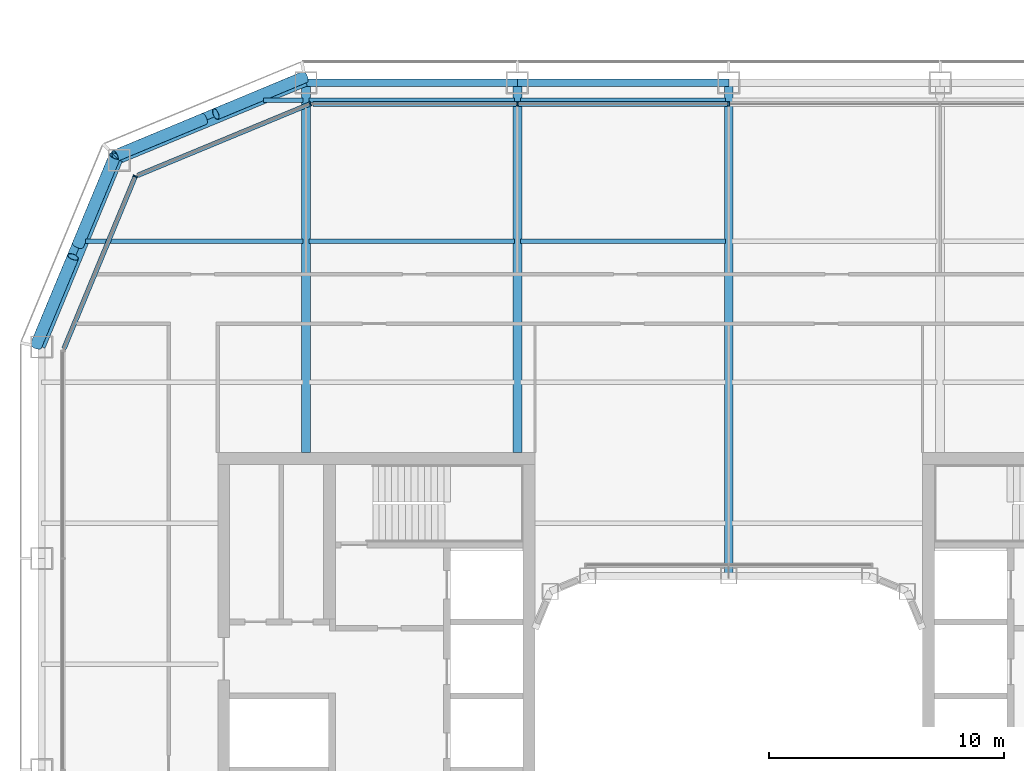
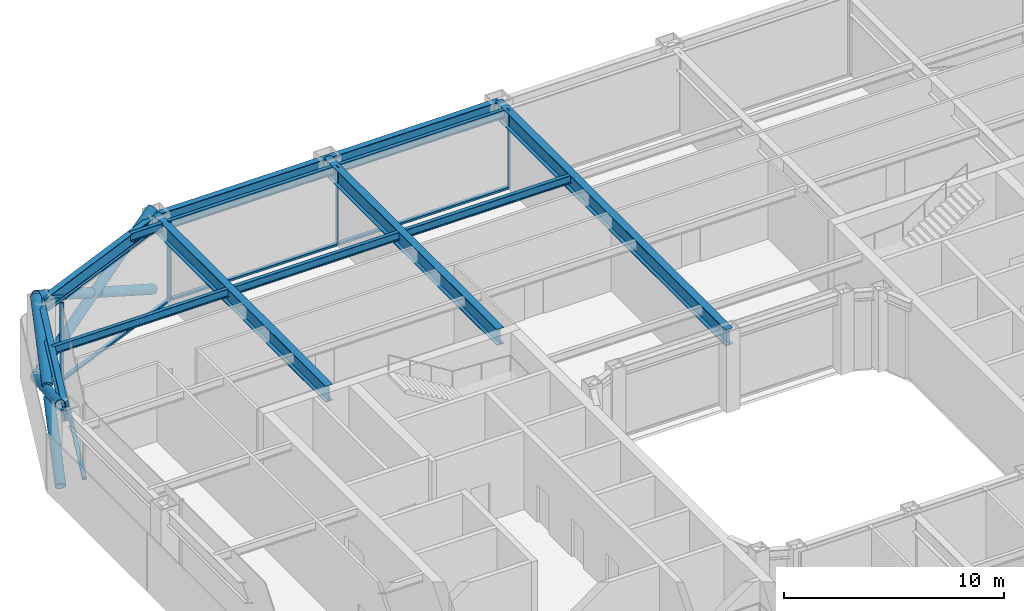
# One storey, part 7 of 23: 14 members, 13 beams, 3 elements without a shape of their own.
"""IFC4 building model written with IfcOpenShell, lengths in metres."""

import ifcopenshell
import ifcopenshell.guid

model = None  # the IFC model being written
_history = None  # IfcOwnerHistory: only IFC2X3 demands one
_inside = {}  # id of a spatial element -> (the spatial element, [elements in it])
_under = {}  # id of a project, library or spatial element -> (it, [spatial elements below it])
_declared = {}  # id of a project -> (the project, [libraries it declares])
_typed = {}  # id of a type object -> (the type object, [elements of that type])
_made_of = {}  # id of a material, layer set ... -> (it, [elements and type objects made of it])


def new_model(schema):
    """Start an empty IFC model of exactly this schema.

    Asked for "IFC4X3", IfcOpenShell would pick the latest addendum, in which some entities
    have other attributes; the version numbers below select the first issue.
    IFC2X3 requires an IfcOwnerHistory on every rooted entity: one is made here for all.
    """
    global model, _history
    if schema == "IFC4X3":
        model = ifcopenshell.file(schema_version=(4, 3, 0, 0))
    else:
        model = ifcopenshell.file(schema=schema)
    _inside.clear()
    _under.clear()
    _declared.clear()
    _typed.clear()
    _made_of.clear()
    _history = None
    if model.schema == "IFC2X3":
        org = make("IfcOrganization", Name="unknown")
        user = make(
            "IfcPersonAndOrganization",
            ThePerson=make("IfcPerson", FamilyName="unknown"),
            TheOrganization=org,
        )
        app = make(
            "IfcApplication",
            ApplicationDeveloper=org,
            Version="unknown",
            ApplicationFullName="unknown",
            ApplicationIdentifier="unknown",
        )
        _history = make(
            "IfcOwnerHistory",
            OwningUser=user,
            OwningApplication=app,
            ChangeAction="ADDED",
            CreationDate=0,
        )
    return model


def make(cls, **values):
    """One entity of the class cls with the attributes given. An attribute that is None is left unset."""
    return model.create_entity(
        cls, **{name: value for name, value in values.items() if value is not None}
    )


def rooted(cls, **values):
    """An entity with a GlobalId (a new one), such as an element, a storey or a relation."""
    return make(cls, GlobalId=ifcopenshell.guid.new(), OwnerHistory=_history, **values)


def si_unit(unit_type, name, prefix=None):
    """IfcSIUnit, for example si_unit("LENGTHUNIT", "METRE", prefix="MILLI")."""
    return make("IfcSIUnit", UnitType=unit_type, Prefix=prefix, Name=name)


def assignment(units):
    """IfcUnitAssignment: the units of a project."""
    return None if units is None else make("IfcUnitAssignment", Units=units)


def point(xyz):
    """IfcCartesianPoint."""
    return None if xyz is None else make("IfcCartesianPoint", Coordinates=xyz)


def direction(xyz):
    """IfcDirection."""
    return None if xyz is None else make("IfcDirection", DirectionRatios=xyz)


def frame(location, z_axis=None, x_axis=None):
    """IfcAxis2Placement3D, a coordinate frame: its origin and axes. An axis left out is left unset."""
    return make(
        "IfcAxis2Placement3D",
        Location=point(location),
        Axis=direction(z_axis),
        RefDirection=direction(x_axis),
    )


def frame_2d(location, x_axis=None):
    """IfcAxis2Placement2D, a coordinate frame in the plane: its origin and x axis."""
    return make(
        "IfcAxis2Placement2D", Location=point(location), RefDirection=direction(x_axis)
    )


def origin():
    """The frame at (0, 0, 0) with its axes left unset."""
    return frame((0.0, 0.0, 0.0))


def origin_2d():
    """The frame at (0, 0) in the plane with its x axis left unset."""
    return frame_2d((0.0, 0.0))


def place(relative_to, where):
    """IfcLocalPlacement: puts the frame where relative to a parent placement (None: the world)."""
    return make(
        "IfcLocalPlacement", PlacementRelTo=relative_to, RelativePlacement=where
    )


def context(
    kind, dimensions, precision=None, world=None, true_north=None, identifier=None
):
    """IfcGeometricRepresentationContext, for example the 3D "Model" context."""
    return make(
        "IfcGeometricRepresentationContext",
        ContextIdentifier=identifier,
        ContextType=kind,
        CoordinateSpaceDimension=dimensions,
        Precision=precision,
        WorldCoordinateSystem=world,
        TrueNorth=true_north,
    )


def subcontext(parent, identifier, kind, view, scale=None):
    """IfcGeometricRepresentationSubContext, for example "Body" below "Model"."""
    return make(
        "IfcGeometricRepresentationSubContext",
        ContextIdentifier=identifier,
        ContextType=kind,
        ParentContext=parent,
        TargetScale=scale,
        TargetView=view,
    )


def project(units=None, contexts=None):
    """IfcProject with its units and contexts."""
    return rooted(
        "IfcProject",
        Name="project",
        RepresentationContexts=contexts,
        UnitsInContext=assignment(units),
    )


def spatial(cls, under=None, at=None, **own):
    """A site, building, storey or space (cls), placed at a placement, below another one or the project."""
    s = rooted(cls, ObjectPlacement=at, **own)
    if under is not None:
        _under.setdefault(under.id(), (under, []))[1].append(s)
    return s


def profile(cls, at=None, kind="AREA", **sizes):
    """A parametric profile (cls). Its sizes go by their IFC names, for example OverallWidth=200.0."""
    return make(cls, ProfileType=kind, Position=at, **sizes)


def rectangle(**sizes):
    """IfcRectangleProfileDef."""
    return profile("IfcRectangleProfileDef", **sizes)


def hollow_circle(**sizes):
    """IfcCircleHollowProfileDef."""
    return profile("IfcCircleHollowProfileDef", **sizes)


def i_section(**sizes):
    """IfcIShapeProfileDef."""
    return profile("IfcIShapeProfileDef", **sizes)


def extrude(swept, where, along, depth):
    """IfcExtrudedAreaSolid: the profile swept, set in the frame where, extruded along a direction by depth."""
    return make(
        "IfcExtrudedAreaSolid",
        SweptArea=swept,
        Position=where,
        ExtrudedDirection=direction(along),
        Depth=depth,
    )


def shape(context_of_items, identifier, shape_type, items):
    """IfcShapeRepresentation: the items that make up one representation, for example the "Body"."""
    return make(
        "IfcShapeRepresentation",
        ContextOfItems=context_of_items,
        RepresentationIdentifier=identifier,
        RepresentationType=shape_type,
        Items=items,
    )


def material(Name=None, Category=None):
    """IfcMaterial."""
    return make("IfcMaterial", Name=Name, Category=Category)


def layer(
    of_material, thickness, ventilated=None, Name=None, Category=None, Priority=None
):
    """IfcMaterialLayer: one layer of a wall or slab, of a material (None: an air gap)."""
    return make(
        "IfcMaterialLayer",
        Material=of_material,
        LayerThickness=thickness,
        IsVentilated=ventilated,
        Name=Name,
        Category=Category,
        Priority=Priority,
    )


def layer_set(layers, Name=None):
    """IfcMaterialLayerSet."""
    return make("IfcMaterialLayerSet", MaterialLayers=layers, LayerSetName=Name)


def material_profile(
    of_material, cross_section, Name=None, Category=None, Priority=None
):
    """IfcMaterialProfile: a cross section and its material."""
    return make(
        "IfcMaterialProfile",
        Name=Name,
        Material=of_material,
        Profile=cross_section,
        Priority=Priority,
        Category=Category,
    )


def profile_set(profiles, Name=None, composite=None):
    """IfcMaterialProfileSet."""
    return make(
        "IfcMaterialProfileSet",
        Name=Name,
        MaterialProfiles=profiles,
        CompositeProfile=composite,
    )


def made_of(thing, what):
    """Note that an element or type object is made of a material, layer set ...; save() writes the relation."""
    if what is not None:
        _made_of.setdefault(what.id(), (what, []))[1].append(thing)
    return thing


def type_object(cls, material=None, **own):
    """A type object (cls), such as IfcWallType, which elements share."""
    return made_of(rooted(cls, **own), material)


def element(
    cls,
    number,
    at=None,
    inside=None,
    cuts=None,
    type_object=None,
    material=None,
    context=None,
    identifier="Body",
    shape_type=None,
    held_by="IfcProductDefinitionShape",
    body=None,
    shapes=None,
    **own,
):
    """One element of the class cls, such as IfcWall. Its Tag is "e" and its number.

    at: its placement. inside: the storey or other place that contains it. cuts: it is an
    opening in that element (IfcRelVoidsElement). A single representation is given by context,
    identifier, shape_type and body (its items); several are given by shapes. held_by: the class
    of the entity that holds the representations. save() writes the other relations.
    """
    e = rooted(cls, Tag="e%d" % number, ObjectPlacement=at, **own)
    if body is not None:
        shapes = [shape(context, identifier, shape_type, body)]
    if shapes is not None:
        e.Representation = make(held_by, Representations=shapes)
    if inside is not None:
        _inside.setdefault(inside.id(), (inside, []))[1].append(e)
    if cuts is not None:
        rooted(
            "IfcRelVoidsElement", RelatingBuildingElement=cuts, RelatedOpeningElement=e
        )
    if type_object is not None:
        _typed.setdefault(type_object.id(), (type_object, []))[1].append(e)
    return made_of(e, material)


def aggregate(whole, parts):
    """IfcRelAggregates: a whole, such as a stair, and the parts it consists of."""
    return rooted("IfcRelAggregates", RelatingObject=whole, RelatedObjects=parts)


def save(model, path):
    """Write the relations noted so far, then the file.

    IfcRelAggregates (storeys below a building ...), IfcRelContainedInSpatialStructure (elements
    in a storey), IfcRelDefinesByType, IfcRelAssociatesMaterial and IfcRelDeclares: one each for
    every whole, place, type object, material and project.
    """
    for whole, parts in _under.values():
        aggregate(whole, parts)
    for where, things in _inside.values():
        rooted(
            "IfcRelContainedInSpatialStructure",
            RelatedElements=things,
            RelatingStructure=where,
        )
    for kind, things in _typed.values():
        rooted("IfcRelDefinesByType", RelatedObjects=things, RelatingType=kind)
    for what, things in _made_of.values():
        rooted("IfcRelAssociatesMaterial", RelatedObjects=things, RelatingMaterial=what)
    for by, libraries in _declared.values():
        rooted("IfcRelDeclares", RelatingContext=by, RelatedDefinitions=libraries)
    model.write(path)


model = new_model("IFC4")

# Units and contexts
model_context = context("Model", 3, precision=1e-05, world=origin(), true_north=direction((0.0, 1.0)))
body_context = subcontext(model_context, "Body", "Model", "MODEL_VIEW")
ifc_project = project(units=[si_unit("LENGTHUNIT", "METRE"), si_unit("AREAUNIT", "SQUARE_METRE"), si_unit("VOLUMEUNIT", "CUBIC_METRE"), si_unit("PLANEANGLEUNIT", "RADIAN"), si_unit("MASSUNIT", "GRAM", prefix="KILO")], contexts=[model_context])

# Site, building, storey
site_placement = place(None, origin())
site = spatial("IfcSite", under=ifc_project, at=site_placement, CompositionType="ELEMENT")
building_placement = place(site_placement, origin())
building = spatial("IfcBuilding", under=site, at=building_placement, Name="Siwar Civic Tower", CompositionType="ELEMENT")
storey_placement = place(building_placement, frame((0.0, 0.0, 131.699951171875)))
storey = spatial("IfcBuildingStorey", under=building, at=storey_placement, Name="L28", CompositionType="ELEMENT", Elevation=131.699951171875)

# Curtain wall, members
ifc_material_1 = material(Name="Aluminium and glass", Category="aluminium")
ifc_layer_1 = layer(ifc_material_1, 0.199951171875)
ifc_layer_set_1 = layer_set([ifc_layer_1], Name="Aluminium and glass")
curtain_wall_type_1 = type_object("IfcCurtainWallType", Name="ENV-CW-B", PredefinedType="NOTDEFINED", material=ifc_layer_set_1)
curtain_wall_1_placement = place(storey_placement, origin())
curtain_wall_1 = element("IfcCurtainWall", 1, at=curtain_wall_1_placement, inside=storey, type_object=curtain_wall_type_1, Name="Curtain wall B N", PredefinedType="NOTDEFINED")
ifc_material_2 = material(Name="Aluminium 6063-T6", Category="aluminium")
ifc_material_profile_1 = material_profile(ifc_material_2, rectangle(XDim=0.199951171875, YDim=0.06494140625, at=origin_2d()), Name="AL 200x65")
ifc_profile_set_1 = profile_set([ifc_material_profile_1], Name="Aluminium 6063-T6")
member_type_1 = type_object("IfcMemberType", Name="ENV-MULLION-B", PredefinedType="MULLION", material=ifc_profile_set_1)
member_1_placement = place(storey_placement, frame((0.0, 28.35009765625, 0.0), z_axis=(0.0, 0.0, 1.0), x_axis=(0.0, -1.0, 0.0)))
member_1 = element("IfcMember", 2, at=member_1_placement, type_object=member_type_1, Name="Mullion B N 3", PredefinedType="MULLION", context=body_context, shape_type="SweptSolid", body=[
    extrude(rectangle(XDim=0.199951171875, YDim=0.06494140625, at=origin_2d()), origin(), (0.0, 0.0, 1.0), 4.35009765625),
])
member_2_placement = place(storey_placement, frame((-9.0, 28.35009765625, 0.0), z_axis=(0.0, 0.0, 1.0), x_axis=(0.0, -1.0, 0.0)))
member_2 = element("IfcMember", 3, at=member_2_placement, type_object=member_type_1, Name="Mullion B N 4", PredefinedType="MULLION", context=body_context, shape_type="SweptSolid", body=[
    extrude(rectangle(XDim=0.199951171875, YDim=0.06494140625, at=origin_2d()), origin(), (0.0, 0.0, 1.0), 4.35009765625),
])

# Curtain wall, member
ifc_material_3 = material(Name="Aluminium clad insulated panel", Category="aluminium")
ifc_layer_2 = layer(ifc_material_3, 0.199951171875)
ifc_layer_set_2 = layer_set([ifc_layer_2], Name="Aluminium clad insulated panel")
curtain_wall_type_2 = type_object("IfcCurtainWallType", Name="ENV-CW-BX", PredefinedType="NOTDEFINED", material=ifc_layer_set_2)
curtain_wall_2_placement = place(storey_placement, origin())
curtain_wall_2 = element("IfcCurtainWall", 4, at=curtain_wall_2_placement, inside=storey, type_object=curtain_wall_type_2, Name="Curtain wall B NW1", PredefinedType="NOTDEFINED")
member_3_placement = place(storey_placement, frame((-17.821044921875, 28.35009765625, 0.0), z_axis=(0.0, 0.0, 1.0), x_axis=(0.382683432365, -0.923879532511, 0.0)))
member_3 = element("IfcMember", 5, at=member_3_placement, type_object=member_type_1, Name="Mullion B NW1 1", PredefinedType="MULLION", context=body_context, shape_type="SweptSolid", body=[
    extrude(rectangle(XDim=0.199951171875, YDim=0.06494140625, at=origin_2d()), origin(), (0.0, 0.0, 1.0), 4.35009765625),
])

curtain_wall_3_placement = place(storey_placement, origin())
curtain_wall_3 = element("IfcCurtainWall", 6, at=curtain_wall_3_placement, inside=storey, type_object=curtain_wall_type_2, Name="Curtain wall B NW2", PredefinedType="NOTDEFINED")
member_4_placement = place(storey_placement, frame((-25.26611328125, 25.26611328125, 0.0), z_axis=(0.0, 0.0, 1.0), x_axis=(0.923879532511, -0.382683432365, 0.0)))
member_4 = element("IfcMember", 7, at=member_4_placement, type_object=member_type_1, Name="Mullion B NW2 1", PredefinedType="MULLION", context=body_context, shape_type="SweptSolid", body=[
    extrude(rectangle(XDim=0.199951171875, YDim=0.06494140625, at=origin_2d()), origin(), (0.0, 0.0, 1.0), 4.35009765625),
])

# Member
ifc_material_4 = material(Name="Aluminium 6063-T6", Category="aluminium")
ifc_material_profile_2 = material_profile(ifc_material_4, rectangle(XDim=0.199951171875, YDim=0.110107421875, at=origin_2d()), Name="AL 200x110")
ifc_profile_set_2 = profile_set([ifc_material_profile_2], Name="Aluminium 6063-T6")
member_type_2 = type_object("IfcMemberType", Name="ENV-TRANSOM-B", PredefinedType="USERDEFINED", material=ifc_profile_set_2)
member_5_placement = place(storey_placement, frame((-0.032470703125, 28.35009765625, 0.054931640625), z_axis=(-1.0, 0.0, 0.0), x_axis=(0.0, -1.0, 0.0)))
member_5 = element("IfcMember", 8, at=member_5_placement, type_object=member_type_2, Name="Transom B N 3", ObjectType="TRANSOM", PredefinedType="USERDEFINED", context=body_context, shape_type="SweptSolid", body=[
    extrude(rectangle(XDim=0.199951171875, YDim=0.110107421875, at=origin_2d()), origin(), (0.0, 0.0, 1.0), 8.93505859375),
])

member_6_placement = place(storey_placement, frame((-9.032470703125, 28.35009765625, 0.054931640625), z_axis=(-1.0, 0.0, 0.0), x_axis=(0.0, -1.0, 0.0)))
member_6 = element("IfcMember", 9, at=member_6_placement, type_object=member_type_2, Name="Transom B N 4", ObjectType="TRANSOM", PredefinedType="USERDEFINED", context=body_context, shape_type="SweptSolid", body=[
    extrude(rectangle(XDim=0.199951171875, YDim=0.110107421875, at=origin_2d()), origin(), (0.0, 0.0, 1.0), 8.6748046875),
])

aggregate(curtain_wall_1, [member_1, member_2, member_5, member_6])

member_7_placement = place(storey_placement, frame((-17.85107421875, 28.337646484375, 0.054931640625), z_axis=(-0.92387279587, -0.382699695651, 0.0), x_axis=(0.382699695651, -0.92387279587, 0.0)))
member_7 = element("IfcMember", 10, at=member_7_placement, type_object=member_type_2, Name="Transom B NW1 1", ObjectType="TRANSOM", PredefinedType="USERDEFINED", context=body_context, shape_type="SweptSolid", body=[
    extrude(rectangle(XDim=0.199951171875, YDim=0.110107421875, at=origin_2d()), origin(), (0.0, 0.0, 1.0), 7.912353515625),
])

aggregate(curtain_wall_2, [member_3, member_7])

member_8_placement = place(storey_placement, frame((-25.278564453125, 25.236083984375, 0.054931640625), z_axis=(-0.382673358825, -0.923883705044, 0.0), x_axis=(0.923883705044, -0.382673358825, 0.0)))
member_8 = element("IfcMember", 11, at=member_8_placement, type_object=member_type_2, Name="Transom B NW2 1", ObjectType="TRANSOM", PredefinedType="USERDEFINED", context=body_context, shape_type="SweptSolid", body=[
    extrude(rectangle(XDim=0.199951171875, YDim=0.110107421875, at=origin_2d()), origin(), (0.0, 0.0, 1.0), 7.912353515625),
])

aggregate(curtain_wall_3, [member_4, member_8])

# Members
ifc_material_5 = material(Name="Steel S355", Category="steel")
ifc_material_profile_3 = material_profile(ifc_material_5, hollow_circle(Radius=0.25390625, WallThickness=0.02490234375, at=origin_2d()), Name="CHS508x25")
ifc_profile_set_3 = profile_set([ifc_material_profile_3], Name="Steel S355")
member_type_3 = type_object("IfcMemberType", Name="STR-BR-CHS508x25", PredefinedType="BRACE", material=ifc_profile_set_3)
member_9_placement = place(storey_placement, frame((-26.1318359375, 26.1318359375, 0.0), z_axis=(-0.341671493852, -0.821142553604, 0.457149315816), x_axis=(0.923264922524, -0.384163874976, 0.0)))
element("IfcMember", 12, at=member_9_placement, inside=storey, type_object=member_type_3, Name="L28/brc/BNW1-7-0-1", PredefinedType="BRACE", context=body_context, shape_type="SweptSolid", body=[
    extrude(hollow_circle(Radius=0.25390625, WallThickness=0.02490234375, at=origin_2d()), origin(), (0.0, 0.0, 1.0), 9.843505859375),
])
for number, where, z_axis, x_axis, name in (
    (13, (-29.4951171875, 18.048828125, 0.0), (0.341677318012, 0.821126041429, 0.457174621391), (-0.923259859753, 0.384176042158, 0.0), "L28/brc/BNW1-7-0-2"),
    (14, (-27.70849609375, 22.342529296875, 2.390625), (0.341670737976, 0.821163134736, 0.457112910516), (-0.923268638995, 0.384154943021, 0.0), "L28/brc/BNW1-7-0-3"),
):
    element("IfcMember", number, at=place(storey_placement, frame(where, z_axis=z_axis, x_axis=x_axis)), inside=storey, type_object=member_type_3, Name=name, PredefinedType="BRACE", context=body_context, shape_type="SweptSolid", body=[
        extrude(hollow_circle(Radius=0.25390625, WallThickness=0.02490234375, at=origin_2d()), origin(), (0.0, 0.0, 1.0), 4.614501953125),
    ])
member_10_placement = place(storey_placement, frame((-26.1318359375, 26.1318359375, 0.0), z_axis=(0.821142553604, 0.341671493852, 0.457149315816), x_axis=(-0.384163874976, 0.923264922524, 0.0)))
element("IfcMember", 15, at=member_10_placement, inside=storey, type_object=member_type_3, Name="L28/brc/BNW1-7-0-0", PredefinedType="BRACE", context=body_context, shape_type="SweptSolid", body=[
    extrude(hollow_circle(Radius=0.25390625, WallThickness=0.02490234375, at=origin_2d()), origin(), (0.0, 0.0, 1.0), 9.843505859375),
])
for number, where, z_axis, x_axis, name in (
    (16, (-18.048828125, 29.4951171875, 0.0), (-0.821126041429, -0.341677318012, 0.457174621391), (0.384176042158, -0.923259859753, 0.0), "L28/brc/BNW1-7-0-4"),
    (17, (-22.342529296875, 27.70849609375, 2.390625), (-0.821163134736, -0.341670737976, 0.457112910516), (0.384154943021, -0.923268638995, 0.0), "L28/brc/BNW1-7-0-5"),
):
    element("IfcMember", number, at=place(storey_placement, frame(where, z_axis=z_axis, x_axis=x_axis)), inside=storey, type_object=member_type_3, Name=name, PredefinedType="BRACE", context=body_context, shape_type="SweptSolid", body=[
        extrude(hollow_circle(Radius=0.25390625, WallThickness=0.02490234375, at=origin_2d()), origin(), (0.0, 0.0, 1.0), 4.614501953125),
    ])

# Beams
ifc_material_6 = material(Name="Steel S355", Category="steel")
ifc_material_profile_4 = material_profile(ifc_material_6, i_section(OverallWidth=0.18994140625, OverallDepth=0.449951171875, WebThickness=0.009521484375, FlangeThickness=0.0146484375, FilletRadius=0.02099609375, at=origin_2d()), Name="IPE450")
ifc_profile_set_4 = profile_set([ifc_material_profile_4], Name="Steel S355")
beam_type_1 = type_object("IfcBeamType", Name="STR-FB-IPE450", PredefinedType="JOIST", material=ifc_profile_set_4)
beam_1_placement = place(storey_placement, frame((-27.385986328125, 22.5, 4.125), z_axis=(1.0, 0.0, 0.0), x_axis=(0.0, 1.0, 0.0)))
element("IfcBeam", 18, at=beam_1_placement, inside=storey, type_object=beam_type_1, Name="L28/bm/F037", PredefinedType="JOIST", context=body_context, shape_type="SweptSolid", body=[
    extrude(i_section(OverallWidth=0.18994140625, OverallDepth=0.449951171875, WebThickness=0.009521484375, FlangeThickness=0.0146484375, FilletRadius=0.02099609375, at=origin_2d()), origin(), (0.0, 0.0, 1.0), 9.256103515625),
])
for number, where, z_axis, x_axis, name in (
    (19, (-17.8701171875, 22.5, 4.125), (1.0, 0.0, 0.0), (0.0, 1.0, 0.0), "L28/bm/F038"),
    (20, (-8.8701171875, 22.5, 4.125), (1.0, 0.0, 0.0), (0.0, 1.0, 0.0), "L28/bm/F039"),
):
    element("IfcBeam", number, at=place(storey_placement, frame(where, z_axis=z_axis, x_axis=x_axis)), inside=storey, type_object=beam_type_1, Name=name, PredefinedType="JOIST", context=body_context, shape_type="SweptSolid", body=[
        extrude(i_section(OverallWidth=0.18994140625, OverallDepth=0.449951171875, WebThickness=0.009521484375, FlangeThickness=0.0146484375, FilletRadius=0.02099609375, at=origin_2d()), origin(), (0.0, 0.0, 1.0), 8.740234375),
    ])
beam_2_placement = place(storey_placement, frame((-19.810546875, 28.5, 4.125), z_axis=(1.0, 0.0, 0.0), x_axis=(0.0, 1.0, 0.0)))
element("IfcBeam", 21, at=beam_2_placement, inside=storey, type_object=beam_type_1, Name="L28/bm/F043", PredefinedType="JOIST", context=body_context, shape_type="SweptSolid", body=[
    extrude(i_section(OverallWidth=0.18994140625, OverallDepth=0.449951171875, WebThickness=0.009521484375, FlangeThickness=0.0146484375, FilletRadius=0.02099609375, at=origin_2d()), origin(), (0.0, 0.0, 1.0), 1.6806640625),
])
for number, where, z_axis, x_axis, name in (
    (22, (-17.8701171875, 28.5, 4.125), (1.0, 0.0, 0.0), (0.0, 1.0, 0.0), "L28/bm/F044"),
    (23, (-8.8701171875, 28.5, 4.125), (1.0, 0.0, 0.0), (0.0, 1.0, 0.0), "L28/bm/F045"),
):
    element("IfcBeam", number, at=place(storey_placement, frame(where, z_axis=z_axis, x_axis=x_axis)), inside=storey, type_object=beam_type_1, Name=name, PredefinedType="JOIST", context=body_context, shape_type="SweptSolid", body=[
        extrude(i_section(OverallWidth=0.18994140625, OverallDepth=0.449951171875, WebThickness=0.009521484375, FlangeThickness=0.0146484375, FilletRadius=0.02099609375, at=origin_2d()), origin(), (0.0, 0.0, 1.0), 8.740234375),
    ])
ifc_material_7 = material(Name="Steel S355", Category="steel")
ifc_material_profile_5 = material_profile(ifc_material_7, i_section(OverallWidth=0.3798828125, OverallDepth=0.89990234375, WebThickness=0.01611328125, FlangeThickness=0.035888671875, at=origin_2d()), Name="PG900x380x16x36")
ifc_profile_set_5 = profile_set([ifc_material_profile_5], Name="Steel S355")
beam_type_2 = type_object("IfcBeamType", Name="STR-PG-PG900x380x16x36", PredefinedType="BEAM", material=ifc_profile_set_5)
for number, where, z_axis, x_axis, name in (
    (24, (-18.0, 13.5, 3.900146484375), (0.0, 1.0, 0.0), (-1.0, 0.0, 0.0), "L28/bm/G02"),
    (25, (-9.0, 13.5, 3.900146484375), (0.0, 1.0, 0.0), (-1.0, 0.0, 0.0), "L28/bm/G04"),
):
    element("IfcBeam", number, at=place(storey_placement, frame(where, z_axis=z_axis, x_axis=x_axis)), inside=storey, type_object=beam_type_2, Name=name, PredefinedType="BEAM", context=body_context, shape_type="SweptSolid", body=[
        extrude(i_section(OverallWidth=0.3798828125, OverallDepth=0.89990234375, WebThickness=0.01611328125, FlangeThickness=0.035888671875, at=origin_2d()), origin(), (0.0, 0.0, 1.0), 15.75),
    ])
beam_3_placement = place(storey_placement, frame((0.0, 8.25, 3.900146484375), z_axis=(0.0, 1.0, 0.0), x_axis=(-1.0, 0.0, 0.0)))
element("IfcBeam", 26, at=beam_3_placement, inside=storey, type_object=beam_type_2, Name="L28/bm/G06", PredefinedType="BEAM", context=body_context, shape_type="SweptSolid", body=[
    extrude(i_section(OverallWidth=0.3798828125, OverallDepth=0.89990234375, WebThickness=0.01611328125, FlangeThickness=0.035888671875, at=origin_2d()), origin(), (0.0, 0.0, 1.0), 21.0),
])
ifc_material_8 = material(Name="Steel S355", Category="steel")
ifc_material_profile_6 = material_profile(ifc_material_8, i_section(OverallWidth=0.300048828125, OverallDepth=0.800048828125, WebThickness=0.017578125, FlangeThickness=0.032958984375, FilletRadius=0.030029296875, at=origin_2d()), Name="HEB800")
ifc_profile_set_6 = profile_set([ifc_material_profile_6], Name="Steel S355")
beam_type_3 = type_object("IfcBeamType", Name="STR-SB-HEB800", PredefinedType="BEAM", material=ifc_profile_set_6)
for number, where, z_axis, x_axis, name in (
    (27, (0.0, 29.25, 3.949951171875), (-1.0, 0.0, 0.0), (0.0, -1.0, 0.0), "L28/bm/SN-2"),
    (28, (-9.0, 29.25, 3.949951171875), (-1.0, 0.0, 0.0), (0.0, -1.0, 0.0), "L28/bm/SN-3"),
):
    element("IfcBeam", number, at=place(storey_placement, frame(where, z_axis=z_axis, x_axis=x_axis)), inside=storey, type_object=beam_type_3, Name=name, PredefinedType="BEAM", context=body_context, shape_type="SweptSolid", body=[
        extrude(i_section(OverallWidth=0.300048828125, OverallDepth=0.800048828125, WebThickness=0.017578125, FlangeThickness=0.032958984375, FilletRadius=0.030029296875, at=origin_2d()), origin(), (0.0, 0.0, 1.0), 9.0),
    ])
for number, where, z_axis, x_axis, name in (
    (29, (-18.0, 29.25, 3.949951171875), (-0.923872720536, -0.382699877515, 0.0), (0.382699877515, -0.923872720536, 0.0), "L28/bm/SNW1-0"),
    (30, (-25.954833984375, 25.954833984375, 3.949951171875), (-0.382699877515, -0.923872720536, 0.0), (0.923872720536, -0.382699877515, 0.0), "L28/bm/SNW2-0"),
):
    element("IfcBeam", number, at=place(storey_placement, frame(where, z_axis=z_axis, x_axis=x_axis)), inside=storey, type_object=beam_type_3, Name=name, PredefinedType="BEAM", context=body_context, shape_type="SweptSolid", body=[
        extrude(i_section(OverallWidth=0.300048828125, OverallDepth=0.800048828125, WebThickness=0.017578125, FlangeThickness=0.032958984375, FilletRadius=0.030029296875, at=origin_2d()), origin(), (0.0, 0.0, 1.0), 8.6103515625),
    ])

save(model, "model.ifc")
